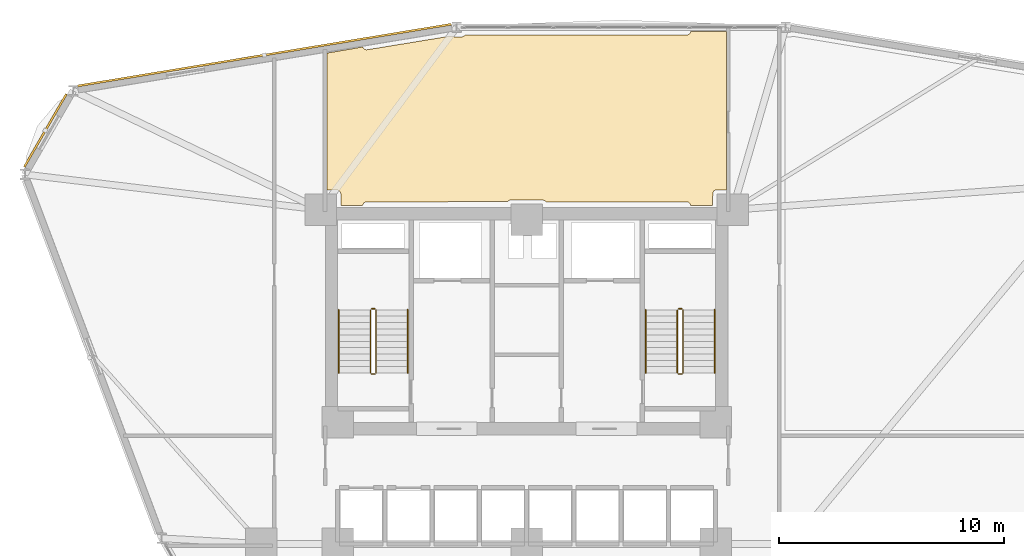
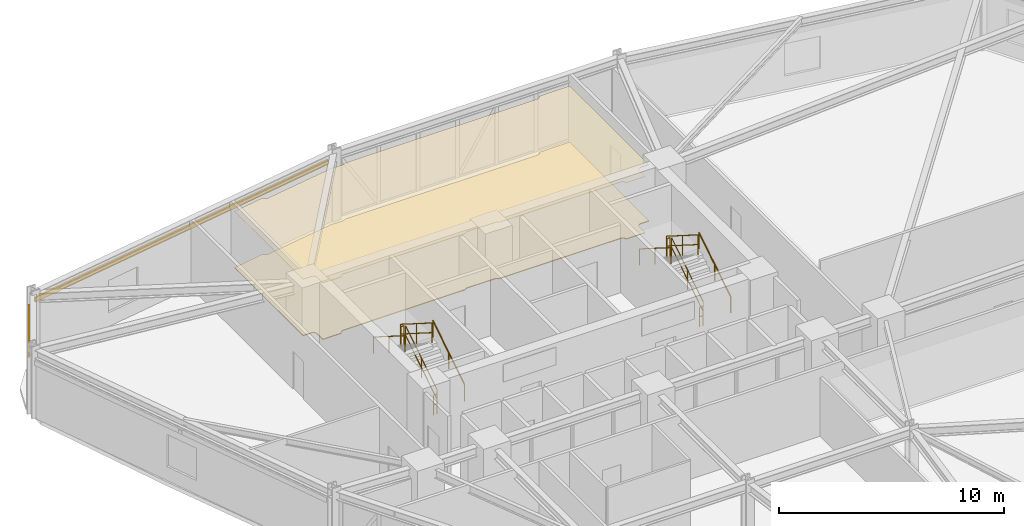
# One storey, part 19 of 20: 12 railings, 2 coverings, 2 shading devices.
"""IFC4 building model written with IfcOpenShell, lengths in metres."""

from ifc_helpers import new_model, si_unit, derived_unit, direction, frame, origin, origin_2d, place, context, subcontext, project, spatial, polyline, hollow_rectangle, circle, outline, extrude, source, transform, mapped, material, layer, layer_set, material_profile, profile_set, type_object, element, save


model = new_model("IFC4")

# Units and contexts
model_context = context("Model", 3, precision=1e-05, world=origin(), true_north=direction((0.0, 1.0)))
body_context = subcontext(model_context, "Body", "Model", "MODEL_VIEW")
ifc_project = project(units=[si_unit("LENGTHUNIT", "METRE"), si_unit("AREAUNIT", "SQUARE_METRE"), si_unit("VOLUMEUNIT", "CUBIC_METRE"), si_unit("PLANEANGLEUNIT", "RADIAN"), si_unit("MASSUNIT", "GRAM", prefix="KILO"), derived_unit("THERMALTRANSMITTANCEUNIT", [(si_unit("POWERUNIT", "WATT"), 1), (si_unit("LENGTHUNIT", "METRE"), -2), (si_unit("THERMODYNAMICTEMPERATUREUNIT", "KELVIN"), -1)])], contexts=[model_context])

# Site, building, storey
site_placement = place(None, origin())
site = spatial("IfcSite", under=ifc_project, at=site_placement, CompositionType="ELEMENT")
building_placement = place(site_placement, origin())
building = spatial("IfcBuilding", under=site, at=building_placement, Name="Korsvarv Bourse and Concert Hall", CompositionType="ELEMENT")
storey_placement = place(building_placement, frame((0.0, 0.0, 91.199951171875)))
storey = spatial("IfcBuildingStorey", under=building, at=storey_placement, Name="L22", CompositionType="ELEMENT", Elevation=91.199951171875)

# Coverings
ifc_material_1 = material(Name="Perforated mineral-wool and birch acoustic baffle ceiling", Category="wood")
ifc_layer_1 = layer(ifc_material_1, 0.02490234375)
ifc_layer_set_1 = layer_set([ifc_layer_1], Name="Perforated mineral-wool and birch acoustic baffle ceiling")
covering_type_1 = type_object("IfcCoveringType", Name="COV-CEIL-1", PredefinedType="CEILING", material=ifc_layer_set_1)
covering_1_placement = place(storey_placement, frame((0.0, 0.0, 3.06005859375)))
element("IfcCovering", 1, at=covering_1_placement, inside=storey, type_object=covering_type_1, Name="L22 acoustic baffle ceiling 3", PredefinedType="CEILING", context=body_context, shape_type="SweptSolid", body=[
    extrude(outline(polyline([(28.71533203125, 54.486083984375), (28.723876953125, 54.46337890625), (28.7421875, 54.4326171875), (28.766357421875, 54.406005859375), (28.795166015625, 54.384765625), (28.82763671875, 54.36962890625), (28.8623046875, 54.361083984375), (28.898193359375, 54.35986328125), (32.58349609375, 54.962646484375), (32.613525390625, 54.94970703125), (32.6474609375, 54.942138671875), (33.098876953125, 54.930908203125), (33.13427734375, 54.93359375), (33.168212890625, 54.943115234375), (33.199951171875, 54.958984375), (33.227783203125, 54.981201171875), (33.250732421875, 55.008056640625), (43.110107421875, 55.017822265625), (43.146240234375, 55.021484375), (43.180908203125, 55.032470703125), (43.212890625, 55.050048828125), (43.240478515625, 55.07373046875), (43.2626953125, 55.1025390625), (43.27880859375, 55.13525390625), (43.287841796875, 55.17041015625), (44.8701171875, 55.177734375), (44.8701171875, 48.139892578125), (44.449951171875, 48.139892578125), (44.415283203125, 48.13671875), (44.381591796875, 48.12646484375), (44.350830078125, 48.110107421875), (44.323486328125, 48.088134765625), (44.30126953125, 48.061279296875), (44.284423828125, 48.03076171875), (44.27392578125, 47.997314453125), (44.27001953125, 47.962646484375), (44.2626953125, 47.43994140625), (43.288818359375, 47.43994140625), (43.2841796875, 47.465087890625), (43.271484375, 47.499267578125), (43.252197265625, 47.5302734375), (43.227294921875, 47.556640625), (43.197265625, 47.577392578125), (43.163818359375, 47.591796875), (43.128173828125, 47.59912109375), (36.859619140625, 47.60009765625), (36.837646484375, 47.626708984375), (36.810791015625, 47.649169921875), (36.77978515625, 47.666015625), (36.74609375, 47.67626953125), (36.711181640625, 47.679931640625), (35.30126953125, 47.68994140625), (35.266357421875, 47.686767578125), (35.232421875, 47.677001953125), (35.201416015625, 47.66064453125), (35.174072265625, 47.638427734375), (35.1513671875, 47.611572265625), (28.889892578125, 47.60009765625), (28.853759765625, 47.59619140625), (28.819091796875, 47.58544921875), (28.787109375, 47.567626953125), (28.759521484375, 47.5439453125), (28.7373046875, 47.51513671875), (28.72119140625, 47.482421875), (28.712158203125, 47.447265625), (27.739990234375, 47.43994140625), (27.739990234375, 47.949951171875), (27.736572265625, 47.98486328125), (27.7265625, 48.018310546875), (27.710205078125, 48.049072265625), (27.688232421875, 48.076171875), (27.66162109375, 48.0986328125), (27.630859375, 48.115478515625), (27.59765625, 48.1259765625), (27.56298828125, 48.1298828125), (27.1298828125, 48.13720703125), (27.1298828125, 54.212890625), (28.71533203125, 54.486083984375)])), origin(), (0.0, 0.0, 1.0), 0.02490234375),
])
ifc_material_2 = material(Name="Calcium-sulphate raised access trading floor with Nordic oak top", Category="wood")
ifc_layer_2 = layer(ifc_material_2, 0.0400390625)
ifc_layer_set_2 = layer_set([ifc_layer_2], Name="Calcium-sulphate raised access trading floor with Nordic oak top")
covering_type_2 = type_object("IfcCoveringType", Name="COV-FLOR-1", PredefinedType="FLOORING", material=ifc_layer_set_2)
covering_2_placement = place(storey_placement, origin())
element("IfcCovering", 2, at=covering_2_placement, inside=storey, type_object=covering_type_2, Name="L22 raised access oak floor finish 3", PredefinedType="FLOORING", context=body_context, shape_type="SweptSolid", body=[
    extrude(outline(polyline([(28.71533203125, 54.486083984375), (28.723876953125, 54.46337890625), (28.7421875, 54.4326171875), (28.766357421875, 54.406005859375), (28.795166015625, 54.384765625), (28.82763671875, 54.36962890625), (28.8623046875, 54.361083984375), (28.898193359375, 54.35986328125), (32.58349609375, 54.962646484375), (32.613525390625, 54.94970703125), (32.6474609375, 54.942138671875), (33.098876953125, 54.930908203125), (33.13427734375, 54.93359375), (33.168212890625, 54.943115234375), (33.199951171875, 54.958984375), (33.227783203125, 54.981201171875), (33.250732421875, 55.008056640625), (43.110107421875, 55.017822265625), (43.146240234375, 55.021484375), (43.180908203125, 55.032470703125), (43.212890625, 55.050048828125), (43.240478515625, 55.07373046875), (43.2626953125, 55.1025390625), (43.27880859375, 55.13525390625), (43.287841796875, 55.17041015625), (44.8701171875, 55.177734375), (44.8701171875, 48.139892578125), (44.449951171875, 48.139892578125), (44.415283203125, 48.13671875), (44.381591796875, 48.12646484375), (44.350830078125, 48.110107421875), (44.323486328125, 48.088134765625), (44.30126953125, 48.061279296875), (44.284423828125, 48.03076171875), (44.27392578125, 47.997314453125), (44.27001953125, 47.962646484375), (44.2626953125, 47.43994140625), (43.288818359375, 47.43994140625), (43.2841796875, 47.465087890625), (43.271484375, 47.499267578125), (43.252197265625, 47.5302734375), (43.227294921875, 47.556640625), (43.197265625, 47.577392578125), (43.163818359375, 47.591796875), (43.128173828125, 47.59912109375), (36.859619140625, 47.60009765625), (36.837646484375, 47.626708984375), (36.810791015625, 47.649169921875), (36.77978515625, 47.666015625), (36.74609375, 47.67626953125), (36.711181640625, 47.679931640625), (35.30126953125, 47.68994140625), (35.266357421875, 47.686767578125), (35.232421875, 47.677001953125), (35.201416015625, 47.66064453125), (35.174072265625, 47.638427734375), (35.1513671875, 47.611572265625), (28.889892578125, 47.60009765625), (28.853759765625, 47.59619140625), (28.819091796875, 47.58544921875), (28.787109375, 47.567626953125), (28.759521484375, 47.5439453125), (28.7373046875, 47.51513671875), (28.72119140625, 47.482421875), (28.712158203125, 47.447265625), (27.739990234375, 47.43994140625), (27.739990234375, 47.949951171875), (27.736572265625, 47.98486328125), (27.7265625, 48.018310546875), (27.710205078125, 48.049072265625), (27.688232421875, 48.076171875), (27.66162109375, 48.0986328125), (27.630859375, 48.115478515625), (27.59765625, 48.1259765625), (27.56298828125, 48.1298828125), (27.1298828125, 48.13720703125), (27.1298828125, 54.212890625), (28.71533203125, 54.486083984375)])), origin(), (0.0, 0.0, 1.0), 0.0400390625),
])

# Railings
ifc_material_3 = material(Name="Painted Steel S355 stair well guardrail", Category="steel")
railing_type_1 = type_object("IfcRailingType", Name="RL-ST-GRD", PredefinedType="GUARDRAIL", material=ifc_material_3)
railing_1_placement = place(storey_placement, frame((29.31005859375, 40.0, 0.17724609375)))
element("IfcRailing", 3, at=railing_1_placement, inside=storey, type_object=railing_type_1, Name="L22 ST-T1 stair guard 1", PredefinedType="GUARDRAIL", context=body_context, shape_type="SweptSolid", body=[
    extrude(circle(Radius=0.02392578125, at=origin_2d()), frame((0.0, 0.0, 1.076171875), z_axis=(0.0, 0.844908973607, 0.534910110503), x_axis=(-1.0, 0.0, 0.0)), (0.0, 0.0, 1.0), 3.31396484375),
    extrude(circle(Radius=0.02392578125, at=origin_2d()), frame((0.0, 0.0, 0.550048828125), z_axis=(0.0, 0.844908973607, 0.534910110503), x_axis=(-1.0, 0.0, 0.0)), (0.0, 0.0, 1.0), 3.31396484375),
    extrude(circle(Radius=0.02099609375, at=origin_2d()), origin(), (0.0, 0.0, 1.0), 1.052001953125),
    extrude(circle(Radius=0.02099609375, at=origin_2d()), frame((0.0, 1.39990234375, 0.88623046875)), (0.0, 0.0, 1.0), 1.052001953125),
    extrude(circle(Radius=0.02099609375, at=origin_2d()), frame((0.0, 2.800048828125, 1.772705078125)), (0.0, 0.0, 1.0), 1.052001953125),
])
railing_2_placement = place(storey_placement, frame((29.260009765625, 42.85009765625, 1.949951171875)))
element("IfcRailing", 4, at=railing_2_placement, inside=storey, type_object=railing_type_1, Name="L22 ST-T1 stair guard 2", PredefinedType="GUARDRAIL", context=body_context, shape_type="SweptSolid", body=[
    extrude(circle(Radius=0.02392578125, at=origin_2d()), frame((0.0, 0.0, 1.076171875), z_axis=(-1.0, 0.0, 0.0), x_axis=(0.0, -1.0, 0.0)), (0.0, 0.0, 1.0), 0.159912109375),
    extrude(circle(Radius=0.02392578125, at=origin_2d()), frame((0.0, 0.0, 0.550048828125), z_axis=(-1.0, 0.0, 0.0), x_axis=(0.0, -1.0, 0.0)), (0.0, 0.0, 1.0), 0.159912109375),
    extrude(circle(Radius=0.02099609375, at=origin_2d()), origin(), (0.0, 0.0, 1.0), 1.052001953125),
    extrude(circle(Radius=0.02099609375, at=origin_2d()), frame((-0.159912109375, 0.0, 0.0)), (0.0, 0.0, 1.0), 1.052001953125),
])
railing_3_placement = place(storey_placement, frame((29.050048828125, 42.800048828125, 2.12744140625)))
element("IfcRailing", 5, at=railing_3_placement, inside=storey, type_object=railing_type_1, Name="L22 ST-T1 stair guard 3", PredefinedType="GUARDRAIL", context=body_context, shape_type="SweptSolid", body=[
    extrude(circle(Radius=0.02392578125, at=origin_2d()), frame((0.0, 0.0, 1.076171875), z_axis=(0.0, -0.844908973607, 0.534910110503), x_axis=(1.0, 0.0, 0.0)), (0.0, 0.0, 1.0), 3.31396484375),
    extrude(circle(Radius=0.02392578125, at=origin_2d()), frame((0.0, 0.0, 0.550048828125), z_axis=(0.0, -0.844908973607, 0.534910110503), x_axis=(1.0, 0.0, 0.0)), (0.0, 0.0, 1.0), 3.31396484375),
    extrude(circle(Radius=0.02099609375, at=origin_2d()), origin(), (0.0, 0.0, 1.0), 1.052001953125),
    extrude(circle(Radius=0.02099609375, at=origin_2d()), frame((0.0, -1.39990234375, 0.88623046875)), (0.0, 0.0, 1.0), 1.052001953125),
    extrude(circle(Radius=0.02099609375, at=origin_2d()), frame((0.0, -2.800048828125, 1.772705078125)), (0.0, 0.0, 1.0), 1.052001953125),
])
railing_4_placement = place(storey_placement, frame((29.260009765625, 39.949951171875, 0.0)))
element("IfcRailing", 6, at=railing_4_placement, inside=storey, type_object=railing_type_1, Name="L22 ST-T1 stair guard 4", PredefinedType="GUARDRAIL", context=body_context, shape_type="SweptSolid", body=[
    extrude(circle(Radius=0.02392578125, at=origin_2d()), frame((0.0, 0.0, 1.076171875), z_axis=(-1.0, 0.0, 0.0), x_axis=(0.0, -1.0, 0.0)), (0.0, 0.0, 1.0), 0.159912109375),
    extrude(circle(Radius=0.02392578125, at=origin_2d()), frame((0.0, 0.0, 0.550048828125), z_axis=(-1.0, 0.0, 0.0), x_axis=(0.0, -1.0, 0.0)), (0.0, 0.0, 1.0), 0.159912109375),
    extrude(circle(Radius=0.02099609375, at=origin_2d()), origin(), (0.0, 0.0, 1.0), 1.052001953125),
    extrude(circle(Radius=0.02099609375, at=origin_2d()), frame((-0.159912109375, 0.0, 0.0)), (0.0, 0.0, 1.0), 1.052001953125),
])
railing_5_placement = place(storey_placement, frame((42.949951171875, 40.0, 0.17724609375)))
element("IfcRailing", 7, at=railing_5_placement, inside=storey, type_object=railing_type_1, Name="L22 ST-T2 stair guard 1", PredefinedType="GUARDRAIL", context=body_context, shape_type="SweptSolid", body=[
    extrude(circle(Radius=0.02392578125, at=origin_2d()), frame((0.0, 0.0, 1.076171875), z_axis=(0.0, 0.844908973607, 0.534910110503), x_axis=(-1.0, 0.0, 0.0)), (0.0, 0.0, 1.0), 3.31396484375),
    extrude(circle(Radius=0.02392578125, at=origin_2d()), frame((0.0, 0.0, 0.550048828125), z_axis=(0.0, 0.844908973607, 0.534910110503), x_axis=(-1.0, 0.0, 0.0)), (0.0, 0.0, 1.0), 3.31396484375),
    extrude(circle(Radius=0.02099609375, at=origin_2d()), origin(), (0.0, 0.0, 1.0), 1.052001953125),
    extrude(circle(Radius=0.02099609375, at=origin_2d()), frame((0.0, 1.39990234375, 0.88623046875)), (0.0, 0.0, 1.0), 1.052001953125),
    extrude(circle(Radius=0.02099609375, at=origin_2d()), frame((0.0, 2.800048828125, 1.772705078125)), (0.0, 0.0, 1.0), 1.052001953125),
])
railing_6_placement = place(storey_placement, frame((42.89990234375, 42.85009765625, 1.949951171875)))
element("IfcRailing", 8, at=railing_6_placement, inside=storey, type_object=railing_type_1, Name="L22 ST-T2 stair guard 2", PredefinedType="GUARDRAIL", context=body_context, shape_type="SweptSolid", body=[
    extrude(circle(Radius=0.02392578125, at=origin_2d()), frame((0.0, 0.0, 1.076171875), z_axis=(-1.0, 0.0, 0.0), x_axis=(0.0, -1.0, 0.0)), (0.0, 0.0, 1.0), 0.159912109375),
    extrude(circle(Radius=0.02392578125, at=origin_2d()), frame((0.0, 0.0, 0.550048828125), z_axis=(-1.0, 0.0, 0.0), x_axis=(0.0, -1.0, 0.0)), (0.0, 0.0, 1.0), 0.159912109375),
    extrude(circle(Radius=0.02099609375, at=origin_2d()), origin(), (0.0, 0.0, 1.0), 1.052001953125),
    extrude(circle(Radius=0.02099609375, at=origin_2d()), frame((-0.159912109375, 0.0, 0.0)), (0.0, 0.0, 1.0), 1.052001953125),
])
railing_7_placement = place(storey_placement, frame((42.68994140625, 42.800048828125, 2.12744140625)))
element("IfcRailing", 9, at=railing_7_placement, inside=storey, type_object=railing_type_1, Name="L22 ST-T2 stair guard 3", PredefinedType="GUARDRAIL", context=body_context, shape_type="SweptSolid", body=[
    extrude(circle(Radius=0.02392578125, at=origin_2d()), frame((0.0, 0.0, 1.076171875), z_axis=(0.0, -0.844908973607, 0.534910110503), x_axis=(1.0, 0.0, 0.0)), (0.0, 0.0, 1.0), 3.31396484375),
    extrude(circle(Radius=0.02392578125, at=origin_2d()), frame((0.0, 0.0, 0.550048828125), z_axis=(0.0, -0.844908973607, 0.534910110503), x_axis=(1.0, 0.0, 0.0)), (0.0, 0.0, 1.0), 3.31396484375),
    extrude(circle(Radius=0.02099609375, at=origin_2d()), origin(), (0.0, 0.0, 1.0), 1.052001953125),
    extrude(circle(Radius=0.02099609375, at=origin_2d()), frame((0.0, -1.39990234375, 0.88623046875)), (0.0, 0.0, 1.0), 1.052001953125),
    extrude(circle(Radius=0.02099609375, at=origin_2d()), frame((0.0, -2.800048828125, 1.772705078125)), (0.0, 0.0, 1.0), 1.052001953125),
])
railing_8_placement = place(storey_placement, frame((42.89990234375, 39.949951171875, 0.0)))
element("IfcRailing", 10, at=railing_8_placement, inside=storey, type_object=railing_type_1, Name="L22 ST-T2 stair guard 4", PredefinedType="GUARDRAIL", context=body_context, shape_type="SweptSolid", body=[
    extrude(circle(Radius=0.02392578125, at=origin_2d()), frame((0.0, 0.0, 1.076171875), z_axis=(-1.0, 0.0, 0.0), x_axis=(0.0, -1.0, 0.0)), (0.0, 0.0, 1.0), 0.159912109375),
    extrude(circle(Radius=0.02392578125, at=origin_2d()), frame((0.0, 0.0, 0.550048828125), z_axis=(-1.0, 0.0, 0.0), x_axis=(0.0, -1.0, 0.0)), (0.0, 0.0, 1.0), 0.159912109375),
    extrude(circle(Radius=0.02099609375, at=origin_2d()), origin(), (0.0, 0.0, 1.0), 1.052001953125),
    extrude(circle(Radius=0.02099609375, at=origin_2d()), frame((-0.159912109375, 0.0, 0.0)), (0.0, 0.0, 1.0), 1.052001953125),
])
ifc_material_4 = material(Name="Brushed stainless Steel S355 tubular handrail", Category="steel")
railing_type_2 = type_object("IfcRailingType", Name="RL-ST-HND", PredefinedType="HANDRAIL", material=ifc_material_4)
railing_9_placement = place(storey_placement, frame((30.7099609375, 40.0, 0.17724609375)))
element("IfcRailing", 11, at=railing_9_placement, inside=storey, type_object=railing_type_2, Name="L22 ST-T1 stair handrail 1", PredefinedType="HANDRAIL", context=body_context, shape_type="SweptSolid", body=[
    extrude(circle(Radius=0.02392578125, at=origin_2d()), frame((0.0, 0.0, 0.8759765625), z_axis=(0.0, 0.844908973607, 0.534910110503), x_axis=(-1.0, 0.0, 0.0)), (0.0, 0.0, 1.0), 3.31396484375),
    extrude(circle(Radius=0.02099609375, at=origin_2d()), origin(), (0.0, 0.0, 1.0), 0.851806640625),
    extrude(circle(Radius=0.02099609375, at=origin_2d()), frame((0.0, 1.39990234375, 0.88623046875)), (0.0, 0.0, 1.0), 0.851806640625),
    extrude(circle(Radius=0.02099609375, at=origin_2d()), frame((0.0, 2.800048828125, 1.772705078125)), (0.0, 0.0, 1.0), 0.851806640625),
])
railing_10_placement = place(storey_placement, frame((27.64990234375, 42.800048828125, 2.12744140625)))
element("IfcRailing", 12, at=railing_10_placement, inside=storey, type_object=railing_type_2, Name="L22 ST-T1 stair handrail 2", PredefinedType="HANDRAIL", context=body_context, shape_type="SweptSolid", body=[
    extrude(circle(Radius=0.02392578125, at=origin_2d()), frame((0.0, 0.0, 0.8759765625), z_axis=(0.0, -0.844908973607, 0.534910110503), x_axis=(1.0, 0.0, 0.0)), (0.0, 0.0, 1.0), 3.31396484375),
    extrude(circle(Radius=0.02099609375, at=origin_2d()), origin(), (0.0, 0.0, 1.0), 0.851806640625),
    extrude(circle(Radius=0.02099609375, at=origin_2d()), frame((0.0, -1.39990234375, 0.88623046875)), (0.0, 0.0, 1.0), 0.851806640625),
    extrude(circle(Radius=0.02099609375, at=origin_2d()), frame((0.0, -2.800048828125, 1.772705078125)), (0.0, 0.0, 1.0), 0.851806640625),
])
railing_11_placement = place(storey_placement, frame((44.35009765625, 40.0, 0.17724609375)))
element("IfcRailing", 13, at=railing_11_placement, inside=storey, type_object=railing_type_2, Name="L22 ST-T2 stair handrail 1", PredefinedType="HANDRAIL", context=body_context, shape_type="SweptSolid", body=[
    extrude(circle(Radius=0.02392578125, at=origin_2d()), frame((0.0, 0.0, 0.8759765625), z_axis=(0.0, 0.844908973607, 0.534910110503), x_axis=(-1.0, 0.0, 0.0)), (0.0, 0.0, 1.0), 3.31396484375),
    extrude(circle(Radius=0.02099609375, at=origin_2d()), origin(), (0.0, 0.0, 1.0), 0.851806640625),
    extrude(circle(Radius=0.02099609375, at=origin_2d()), frame((0.0, 1.39990234375, 0.88623046875)), (0.0, 0.0, 1.0), 0.851806640625),
    extrude(circle(Radius=0.02099609375, at=origin_2d()), frame((0.0, 2.800048828125, 1.772705078125)), (0.0, 0.0, 1.0), 0.851806640625),
])
railing_12_placement = place(storey_placement, frame((41.2900390625, 42.800048828125, 2.12744140625)))
element("IfcRailing", 14, at=railing_12_placement, inside=storey, type_object=railing_type_2, Name="L22 ST-T2 stair handrail 2", PredefinedType="HANDRAIL", context=body_context, shape_type="SweptSolid", body=[
    extrude(circle(Radius=0.02392578125, at=origin_2d()), frame((0.0, 0.0, 0.8759765625), z_axis=(0.0, -0.844908973607, 0.534910110503), x_axis=(1.0, 0.0, 0.0)), (0.0, 0.0, 1.0), 3.31396484375),
    extrude(circle(Radius=0.02099609375, at=origin_2d()), origin(), (0.0, 0.0, 1.0), 0.851806640625),
    extrude(circle(Radius=0.02099609375, at=origin_2d()), frame((0.0, -1.39990234375, 0.88623046875)), (0.0, 0.0, 1.0), 0.851806640625),
    extrude(circle(Radius=0.02099609375, at=origin_2d()), frame((0.0, -2.800048828125, 1.772705078125)), (0.0, 0.0, 1.0), 0.851806640625),
])

# Shading devices
ifc_material_5 = material(Name="Glazed extruded architectural terracotta", Category="ceramic")
ifc_material_profile = material_profile(ifc_material_5, hollow_rectangle(XDim=0.090087890625, YDim=0.260009765625, WallThickness=0.011962890625, at=origin_2d()), Name="TC-BAG 90x260")
ifc_profile_set = profile_set([ifc_material_profile], Name="Glazed extruded architectural terracotta")
shading_device_type = type_object("IfcShadingDeviceType", Name="SHD-BAG-1", PredefinedType="USERDEFINED", material=ifc_profile_set)
shared_shape_1 = source(origin(), body_context, "Body", "SweptSolid", [
    extrude(hollow_rectangle(XDim=0.090087890625, YDim=0.260009765625, WallThickness=0.011962890625, at=origin_2d()), origin(), (0.0, 0.0, 1.0), 3.7421875),
])
shading_device_1_placement = place(storey_placement, frame((15.545654296875, 52.394775390625, 3.070068359375), z_axis=(-0.500012356405, -0.866018269693, 0.0), x_axis=(0.866018269693, -0.500012356405, 0.0)))
element("IfcShadingDevice", 15, at=shading_device_1_placement, inside=storey, type_object=shading_device_type, Name="L22 terracotta baguette sunshade EW-L22-B05", ObjectType="BAGUETTE", PredefinedType="USERDEFINED", context=body_context, shape_type="MappedRepresentation", body=[
    mapped(shared_shape_1, transform((0.0, 0.0, 0.0), scale=1.0)),
])
shared_shape_2 = source(origin(), body_context, "Body", "SweptSolid", [
    extrude(hollow_rectangle(XDim=0.090087890625, YDim=0.260009765625, WallThickness=0.011962890625, at=origin_2d()), origin(), (0.0, 0.0, 1.0), 16.83642578125),
])
shading_device_2_placement = place(storey_placement, frame((32.6455078125, 55.49462890625, 3.070068359375), z_axis=(-0.986649424809, -0.162858566012, 0.0), x_axis=(0.162858566012, -0.986649424809, 0.0)))
element("IfcShadingDevice", 16, at=shading_device_2_placement, inside=storey, type_object=shading_device_type, Name="L22 terracotta baguette sunshade EW-L22-B04", ObjectType="BAGUETTE", PredefinedType="USERDEFINED", context=body_context, shape_type="MappedRepresentation", body=[
    mapped(shared_shape_2, transform((0.0, 0.0, 0.0), scale=1.0)),
])

save(model, "model.ifc")
